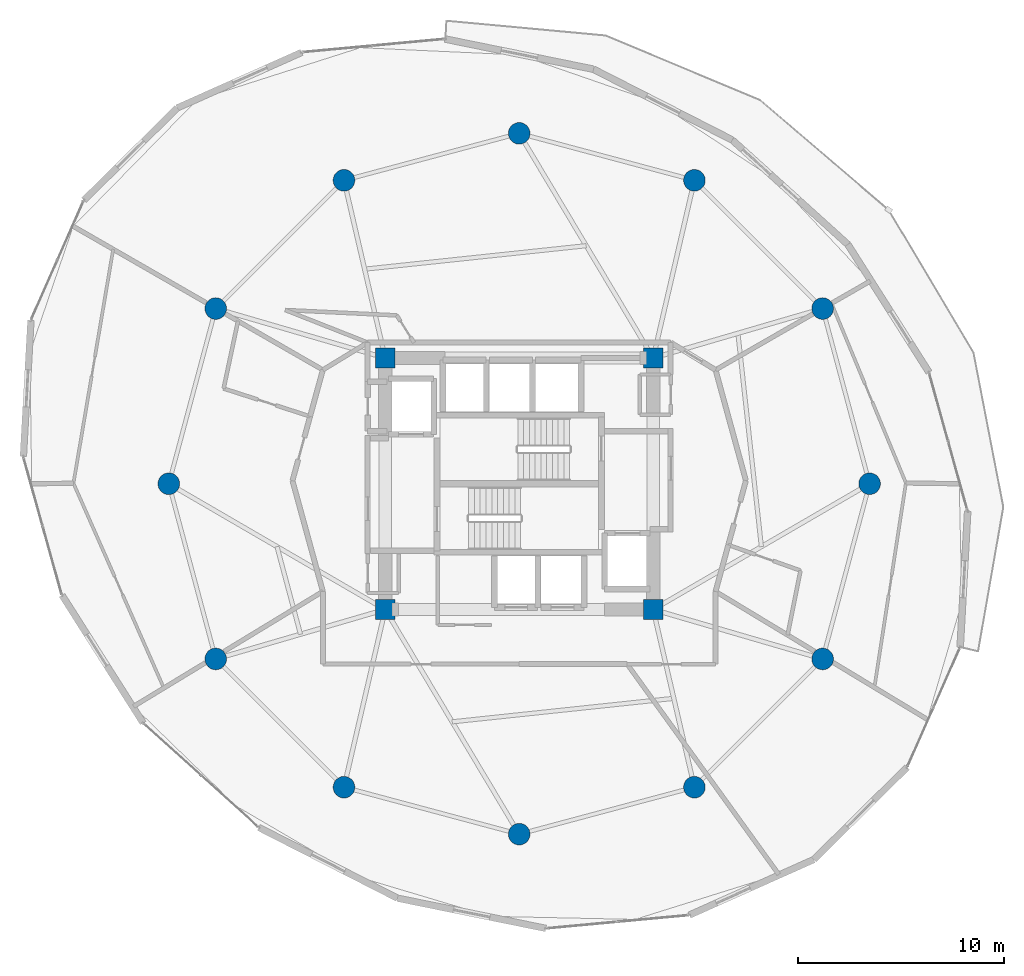
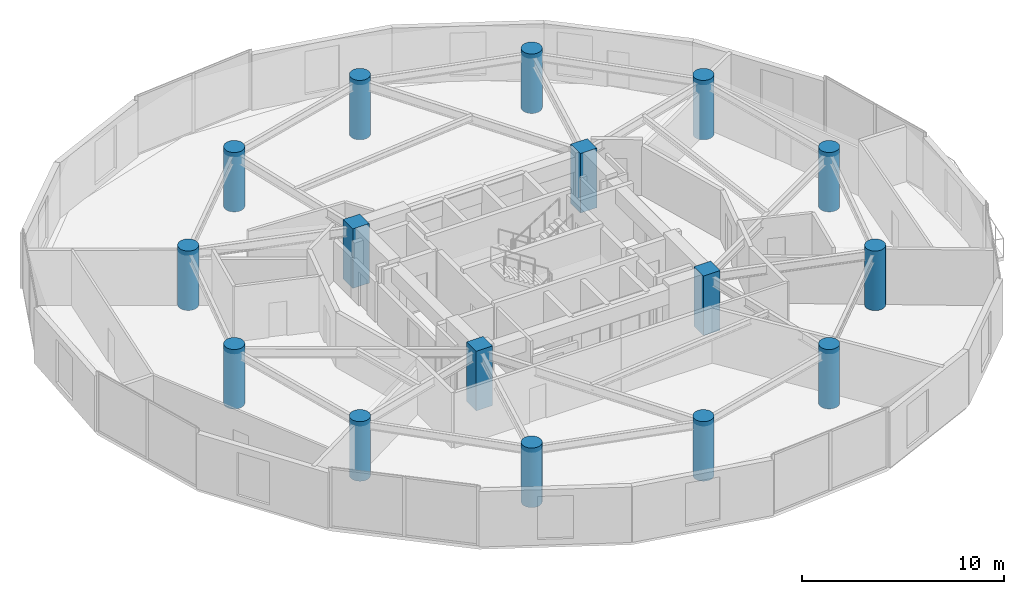
# One storey, part 1 of 25: 16 columns.
"""IFC4 building model written with IfcOpenShell, lengths in metres."""

from ifc_helpers import new_model, si_unit, direction, frame, origin, origin_2d, place, context, subcontext, project, spatial, rectangle, circle, extrude, material, material_profile, profile_set, type_object, element, save


model = new_model("IFC4")

# Units and contexts
model_context = context("Model", 3, precision=1e-05, world=origin(), true_north=direction((0.0, 1.0)))
body_context = subcontext(model_context, "Body", "Model", "MODEL_VIEW")
ifc_project = project(units=[si_unit("LENGTHUNIT", "METRE"), si_unit("AREAUNIT", "SQUARE_METRE"), si_unit("VOLUMEUNIT", "CUBIC_METRE"), si_unit("PLANEANGLEUNIT", "RADIAN"), si_unit("MASSUNIT", "GRAM", prefix="KILO")], contexts=[model_context])

# Site, building, storey
site_placement = place(None, origin())
site = spatial("IfcSite", under=ifc_project, at=site_placement, CompositionType="ELEMENT")
building_placement = place(site_placement, origin())
building = spatial("IfcBuilding", under=site, at=building_placement, Name="Solvirekh Grand Hotel", CompositionType="ELEMENT")
storey_placement = place(building_placement, frame((0.0, 0.0, 117.0)))
storey = spatial("IfcBuildingStorey", under=building, at=storey_placement, Name="L29", CompositionType="ELEMENT", Elevation=117.0)

# Columns
ifc_material = material(Name="Concrete C50/60", Category="concrete")
ifc_material_profile_1 = material_profile(ifc_material, rectangle(XDim=0.949951171875, YDim=0.949951171875, at=origin_2d()), Name="RC 950X950")
ifc_profile_set_1 = profile_set([ifc_material_profile_1], Name="Concrete C50/60")
column_type_1 = type_object("IfcColumnType", Name="Col_Core_950", PredefinedType="COLUMN", material=ifc_profile_set_1)
for number, where, z_axis, x_axis, name in (
    (1, (-6.5, -6.10009765625, 0.0), (0.0, 0.0, 1.0), (1.0, 0.0, 0.0), "L29 core corner column CC1"),
    (2, (6.5, -6.10009765625, 0.0), (0.0, 0.0, 1.0), (1.0, 0.0, 0.0), "L29 core corner column CC2"),
    (3, (6.5, 6.10009765625, 0.0), (0.0, 0.0, 1.0), (1.0, 0.0, 0.0), "L29 core corner column CC3"),
    (4, (-6.5, 6.10009765625, 0.0), (0.0, 0.0, 1.0), (1.0, 0.0, 0.0), "L29 core corner column CC4"),
):
    element("IfcColumn", number, at=place(storey_placement, frame(where, z_axis=z_axis, x_axis=x_axis)), inside=storey, type_object=column_type_1, Name=name, PredefinedType="COLUMN", context=body_context, shape_type="SweptSolid", body=[
        extrude(rectangle(XDim=0.949951171875, YDim=0.949951171875, at=origin_2d()), origin(), (0.0, 0.0, 1.0), 3.60009765625),
    ])
ifc_material_profile_2 = material_profile(ifc_material, circle(Radius=0.52490234375, at=origin_2d()), Name="RC CIRC D1050")
ifc_profile_set_2 = profile_set([ifc_material_profile_2], Name="Concrete C50/60")
column_type_2 = type_object("IfcColumnType", Name="Col_Z2_D1050", PredefinedType="COLUMN", material=ifc_profile_set_2)
for number, where, z_axis, x_axis, name in (
    (5, (17.0, 0.0, 0.0), (0.0, 0.0, 1.0), (1.0, 0.0, 0.0), "L29 perimeter column P01"),
    (6, (14.721923828125, 8.5, 0.0), (0.0, 0.0, 1.0), (1.0, 0.0, 0.0), "L29 perimeter column P02"),
    (7, (8.5, 14.721923828125, 0.0), (0.0, 0.0, 1.0), (1.0, 0.0, 0.0), "L29 perimeter column P03"),
    (8, (0.0, 17.0, 0.0), (0.0, 0.0, 1.0), (1.0, 0.0, 0.0), "L29 perimeter column P04"),
    (9, (-8.5, 14.721923828125, 0.0), (0.0, 0.0, 1.0), (1.0, 0.0, 0.0), "L29 perimeter column P05"),
    (10, (-14.721923828125, 8.5, 0.0), (0.0, 0.0, 1.0), (1.0, 0.0, 0.0), "L29 perimeter column P06"),
    (11, (-17.0, 0.0, 0.0), (0.0, 0.0, 1.0), (1.0, 0.0, 0.0), "L29 perimeter column P07"),
    (12, (-14.721923828125, -8.5, 0.0), (0.0, 0.0, 1.0), (1.0, 0.0, 0.0), "L29 perimeter column P08"),
    (13, (-8.5, -14.721923828125, 0.0), (0.0, 0.0, 1.0), (1.0, 0.0, 0.0), "L29 perimeter column P09"),
    (14, (0.0, -17.0, 0.0), (0.0, 0.0, 1.0), (1.0, 0.0, 0.0), "L29 perimeter column P10"),
    (15, (8.5, -14.721923828125, 0.0), (0.0, 0.0, 1.0), (1.0, 0.0, 0.0), "L29 perimeter column P11"),
    (16, (14.721923828125, -8.5, 0.0), (0.0, 0.0, 1.0), (1.0, 0.0, 0.0), "L29 perimeter column P12"),
):
    element("IfcColumn", number, at=place(storey_placement, frame(where, z_axis=z_axis, x_axis=x_axis)), inside=storey, type_object=column_type_2, Name=name, PredefinedType="COLUMN", context=body_context, shape_type="SweptSolid", body=[
        extrude(circle(Radius=0.52490234375, at=origin_2d()), origin(), (0.0, 0.0, 1.0), 3.60009765625),
    ])

save(model, "model.ifc")
